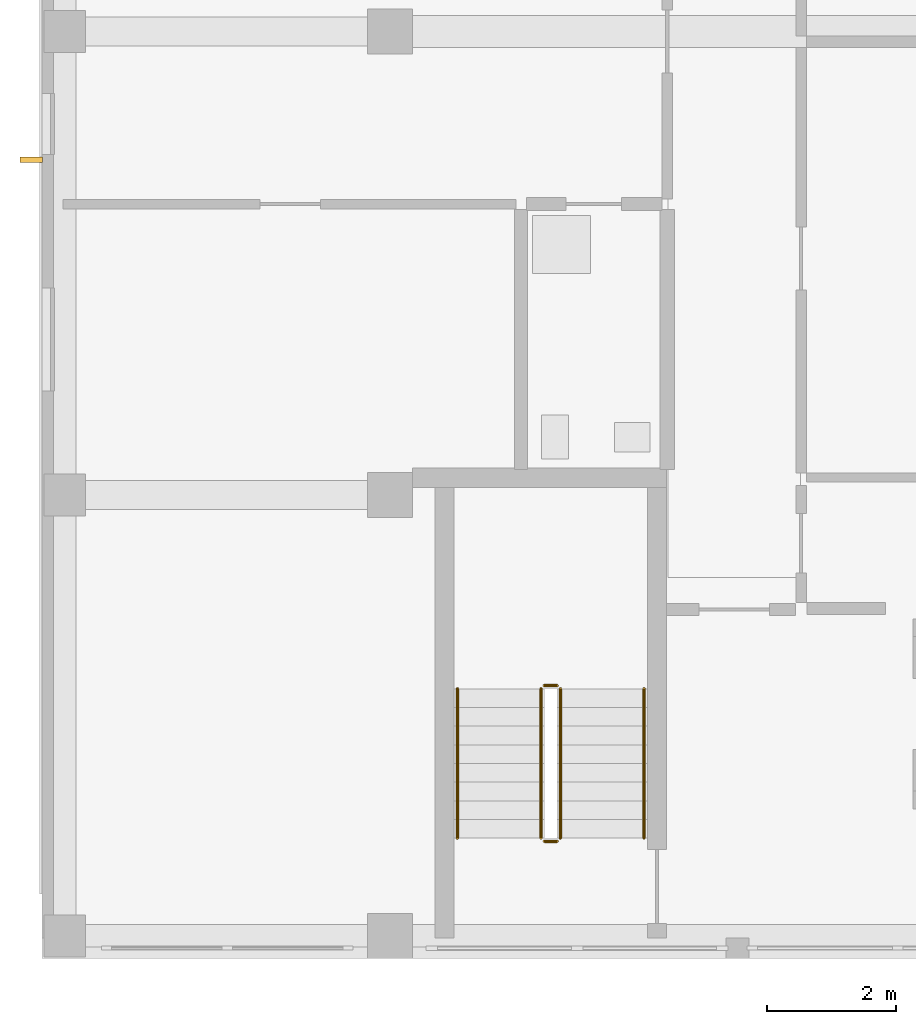
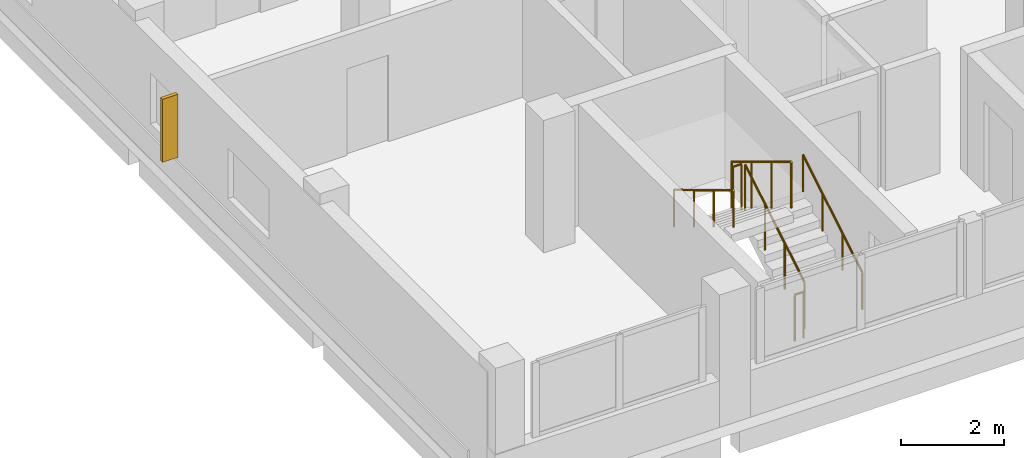
# One storey, part 47 of 56: 6 railings, 1 shading device.
"""IFC4 building model written with IfcOpenShell, lengths in metres."""

import ifcopenshell
import ifcopenshell.guid

model = None  # the IFC model being written
_history = None  # IfcOwnerHistory: only IFC2X3 demands one
_inside = {}  # id of a spatial element -> (the spatial element, [elements in it])
_under = {}  # id of a project, library or spatial element -> (it, [spatial elements below it])
_declared = {}  # id of a project -> (the project, [libraries it declares])
_typed = {}  # id of a type object -> (the type object, [elements of that type])
_made_of = {}  # id of a material, layer set ... -> (it, [elements and type objects made of it])


def new_model(schema):
    """Start an empty IFC model of exactly this schema.

    Asked for "IFC4X3", IfcOpenShell would pick the latest addendum, in which some entities
    have other attributes; the version numbers below select the first issue.
    IFC2X3 requires an IfcOwnerHistory on every rooted entity: one is made here for all.
    """
    global model, _history
    if schema == "IFC4X3":
        model = ifcopenshell.file(schema_version=(4, 3, 0, 0))
    else:
        model = ifcopenshell.file(schema=schema)
    _inside.clear()
    _under.clear()
    _declared.clear()
    _typed.clear()
    _made_of.clear()
    _history = None
    if model.schema == "IFC2X3":
        org = make("IfcOrganization", Name="unknown")
        user = make(
            "IfcPersonAndOrganization",
            ThePerson=make("IfcPerson", FamilyName="unknown"),
            TheOrganization=org,
        )
        app = make(
            "IfcApplication",
            ApplicationDeveloper=org,
            Version="unknown",
            ApplicationFullName="unknown",
            ApplicationIdentifier="unknown",
        )
        _history = make(
            "IfcOwnerHistory",
            OwningUser=user,
            OwningApplication=app,
            ChangeAction="ADDED",
            CreationDate=0,
        )
    return model


def make(cls, **values):
    """One entity of the class cls with the attributes given. An attribute that is None is left unset."""
    return model.create_entity(
        cls, **{name: value for name, value in values.items() if value is not None}
    )


def rooted(cls, **values):
    """An entity with a GlobalId (a new one), such as an element, a storey or a relation."""
    return make(cls, GlobalId=ifcopenshell.guid.new(), OwnerHistory=_history, **values)


def si_unit(unit_type, name, prefix=None):
    """IfcSIUnit, for example si_unit("LENGTHUNIT", "METRE", prefix="MILLI")."""
    return make("IfcSIUnit", UnitType=unit_type, Prefix=prefix, Name=name)


def derived_unit(unit_type, elements):
    """IfcDerivedUnit: a product of units, each with its exponent."""
    return make(
        "IfcDerivedUnit",
        Elements=[
            make("IfcDerivedUnitElement", Unit=unit, Exponent=power)
            for unit, power in elements
        ],
        UnitType=unit_type,
    )


def assignment(units):
    """IfcUnitAssignment: the units of a project."""
    return None if units is None else make("IfcUnitAssignment", Units=units)


def point(xyz):
    """IfcCartesianPoint."""
    return None if xyz is None else make("IfcCartesianPoint", Coordinates=xyz)


def direction(xyz):
    """IfcDirection."""
    return None if xyz is None else make("IfcDirection", DirectionRatios=xyz)


def frame(location, z_axis=None, x_axis=None):
    """IfcAxis2Placement3D, a coordinate frame: its origin and axes. An axis left out is left unset."""
    return make(
        "IfcAxis2Placement3D",
        Location=point(location),
        Axis=direction(z_axis),
        RefDirection=direction(x_axis),
    )


def frame_2d(location, x_axis=None):
    """IfcAxis2Placement2D, a coordinate frame in the plane: its origin and x axis."""
    return make(
        "IfcAxis2Placement2D", Location=point(location), RefDirection=direction(x_axis)
    )


def origin():
    """The frame at (0, 0, 0) with its axes left unset."""
    return frame((0.0, 0.0, 0.0))


def origin_2d():
    """The frame at (0, 0) in the plane with its x axis left unset."""
    return frame_2d((0.0, 0.0))


def place(relative_to, where):
    """IfcLocalPlacement: puts the frame where relative to a parent placement (None: the world)."""
    return make(
        "IfcLocalPlacement", PlacementRelTo=relative_to, RelativePlacement=where
    )


def context(
    kind, dimensions, precision=None, world=None, true_north=None, identifier=None
):
    """IfcGeometricRepresentationContext, for example the 3D "Model" context."""
    return make(
        "IfcGeometricRepresentationContext",
        ContextIdentifier=identifier,
        ContextType=kind,
        CoordinateSpaceDimension=dimensions,
        Precision=precision,
        WorldCoordinateSystem=world,
        TrueNorth=true_north,
    )


def subcontext(parent, identifier, kind, view, scale=None):
    """IfcGeometricRepresentationSubContext, for example "Body" below "Model"."""
    return make(
        "IfcGeometricRepresentationSubContext",
        ContextIdentifier=identifier,
        ContextType=kind,
        ParentContext=parent,
        TargetScale=scale,
        TargetView=view,
    )


def project(units=None, contexts=None):
    """IfcProject with its units and contexts."""
    return rooted(
        "IfcProject",
        Name="project",
        RepresentationContexts=contexts,
        UnitsInContext=assignment(units),
    )


def spatial(cls, under=None, at=None, **own):
    """A site, building, storey or space (cls), placed at a placement, below another one or the project."""
    s = rooted(cls, ObjectPlacement=at, **own)
    if under is not None:
        _under.setdefault(under.id(), (under, []))[1].append(s)
    return s


def profile(cls, at=None, kind="AREA", **sizes):
    """A parametric profile (cls). Its sizes go by their IFC names, for example OverallWidth=200.0."""
    return make(cls, ProfileType=kind, Position=at, **sizes)


def rectangle(**sizes):
    """IfcRectangleProfileDef."""
    return profile("IfcRectangleProfileDef", **sizes)


def circle(**sizes):
    """IfcCircleProfileDef."""
    return profile("IfcCircleProfileDef", **sizes)


def extrude(swept, where, along, depth):
    """IfcExtrudedAreaSolid: the profile swept, set in the frame where, extruded along a direction by depth."""
    return make(
        "IfcExtrudedAreaSolid",
        SweptArea=swept,
        Position=where,
        ExtrudedDirection=direction(along),
        Depth=depth,
    )


def shape(context_of_items, identifier, shape_type, items):
    """IfcShapeRepresentation: the items that make up one representation, for example the "Body"."""
    return make(
        "IfcShapeRepresentation",
        ContextOfItems=context_of_items,
        RepresentationIdentifier=identifier,
        RepresentationType=shape_type,
        Items=items,
    )


def material(Name=None, Category=None):
    """IfcMaterial."""
    return make("IfcMaterial", Name=Name, Category=Category)


def made_of(thing, what):
    """Note that an element or type object is made of a material, layer set ...; save() writes the relation."""
    if what is not None:
        _made_of.setdefault(what.id(), (what, []))[1].append(thing)
    return thing


def type_object(cls, material=None, **own):
    """A type object (cls), such as IfcWallType, which elements share."""
    return made_of(rooted(cls, **own), material)


def element(
    cls,
    number,
    at=None,
    inside=None,
    cuts=None,
    type_object=None,
    material=None,
    context=None,
    identifier="Body",
    shape_type=None,
    held_by="IfcProductDefinitionShape",
    body=None,
    shapes=None,
    **own,
):
    """One element of the class cls, such as IfcWall. Its Tag is "e" and its number.

    at: its placement. inside: the storey or other place that contains it. cuts: it is an
    opening in that element (IfcRelVoidsElement). A single representation is given by context,
    identifier, shape_type and body (its items); several are given by shapes. held_by: the class
    of the entity that holds the representations. save() writes the other relations.
    """
    e = rooted(cls, Tag="e%d" % number, ObjectPlacement=at, **own)
    if body is not None:
        shapes = [shape(context, identifier, shape_type, body)]
    if shapes is not None:
        e.Representation = make(held_by, Representations=shapes)
    if inside is not None:
        _inside.setdefault(inside.id(), (inside, []))[1].append(e)
    if cuts is not None:
        rooted(
            "IfcRelVoidsElement", RelatingBuildingElement=cuts, RelatedOpeningElement=e
        )
    if type_object is not None:
        _typed.setdefault(type_object.id(), (type_object, []))[1].append(e)
    return made_of(e, material)


def aggregate(whole, parts):
    """IfcRelAggregates: a whole, such as a stair, and the parts it consists of."""
    return rooted("IfcRelAggregates", RelatingObject=whole, RelatedObjects=parts)


def save(model, path):
    """Write the relations noted so far, then the file.

    IfcRelAggregates (storeys below a building ...), IfcRelContainedInSpatialStructure (elements
    in a storey), IfcRelDefinesByType, IfcRelAssociatesMaterial and IfcRelDeclares: one each for
    every whole, place, type object, material and project.
    """
    for whole, parts in _under.values():
        aggregate(whole, parts)
    for where, things in _inside.values():
        rooted(
            "IfcRelContainedInSpatialStructure",
            RelatedElements=things,
            RelatingStructure=where,
        )
    for kind, things in _typed.values():
        rooted("IfcRelDefinesByType", RelatedObjects=things, RelatingType=kind)
    for what, things in _made_of.values():
        rooted("IfcRelAssociatesMaterial", RelatedObjects=things, RelatingMaterial=what)
    for by, libraries in _declared.values():
        rooted("IfcRelDeclares", RelatingContext=by, RelatedDefinitions=libraries)
    model.write(path)


model = new_model("IFC4")

# Units and contexts
model_context = context("Model", 3, precision=1e-05, world=origin(), true_north=direction((0.0, 1.0)))
body_context = subcontext(model_context, "Body", "Model", "MODEL_VIEW")
ifc_project = project(units=[si_unit("LENGTHUNIT", "METRE"), si_unit("AREAUNIT", "SQUARE_METRE"), si_unit("VOLUMEUNIT", "CUBIC_METRE"), si_unit("PLANEANGLEUNIT", "RADIAN"), si_unit("MASSUNIT", "GRAM", prefix="KILO"), derived_unit("THERMALTRANSMITTANCEUNIT", [(si_unit("MASSUNIT", "GRAM", prefix="KILO"), 1), (si_unit("TIMEUNIT", "SECOND"), -3), (si_unit("THERMODYNAMICTEMPERATUREUNIT", "KELVIN"), -1)])], contexts=[model_context])

# Site, building, storey
site_placement = place(None, origin())
site = spatial("IfcSite", under=ifc_project, at=site_placement, CompositionType="ELEMENT")
building_placement = place(site_placement, origin())
building = spatial("IfcBuilding", under=site, at=building_placement, Name="Ochrekiln Boulevard Commons", CompositionType="ELEMENT")
storey_placement = place(building_placement, frame((0.0, 0.0, 12.074951171875)))
storey = spatial("IfcBuildingStorey", under=building, at=storey_placement, Name="L03", CompositionType="ELEMENT", Elevation=12.074951171875)

# Railings
ifc_material_1 = material(Name="Brushed stainless steel 316 tubular railing", Category="steel")
railing_type_1 = type_object("IfcRailingType", Name="RLG-HDR-900", PredefinedType="HANDRAIL", material=ifc_material_1)
railing_1_placement = place(storey_placement, frame((9.35009765625, 70.27001953125, 0.175048828125)))
element("IfcRailing", 1, at=railing_1_placement, inside=storey, type_object=railing_type_1, Name="L03 ST-A1 stair handrail 1", PredefinedType="HANDRAIL", context=body_context, shape_type="SweptSolid", body=[
    extrude(circle(Radius=0.02392578125, at=origin_2d()), frame((0.0, 0.0, 0.8759765625), z_axis=(0.0, 0.85621033714, 0.516627388526), x_axis=(-1.0, 0.0, 0.0)), (0.0, 0.0, 1.0), 2.709716796875),
    extrude(circle(Radius=0.02099609375, at=origin_2d()), origin(), (0.0, 0.0, 1.0), 0.851806640625),
    extrude(circle(Radius=0.02099609375, at=origin_2d()), frame((0.0, 0.7734375, 0.466552734375)), (0.0, 0.0, 1.0), 0.851806640625),
    extrude(circle(Radius=0.02099609375, at=origin_2d()), frame((0.0, 1.546630859375, 0.933349609375)), (0.0, 0.0, 1.0), 0.851806640625),
    extrude(circle(Radius=0.02099609375, at=origin_2d()), frame((0.0, 2.320068359375, 1.39990234375)), (0.0, 0.0, 1.0), 0.851806640625),
])
railing_2_placement = place(storey_placement, frame((6.449951171875, 72.590087890625, 1.75)))
element("IfcRailing", 2, at=railing_2_placement, inside=storey, type_object=railing_type_1, Name="L03 ST-A1 stair handrail 2", PredefinedType="HANDRAIL", context=body_context, shape_type="SweptSolid", body=[
    extrude(circle(Radius=0.02392578125, at=origin_2d()), frame((0.0, 0.0, 0.8759765625), z_axis=(0.0, -0.856170481923, 0.516693435108), x_axis=(1.0, 0.0, 0.0)), (0.0, 0.0, 1.0), 2.709716796875),
    extrude(circle(Radius=0.02099609375, at=origin_2d()), origin(), (0.0, 0.0, 1.0), 0.851806640625),
    extrude(circle(Radius=0.02099609375, at=origin_2d()), frame((0.0, -0.7734375, 0.466796875)), (0.0, 0.0, 1.0), 0.851806640625),
    extrude(circle(Radius=0.02099609375, at=origin_2d()), frame((0.0, -1.546630859375, 0.933349609375)), (0.0, 0.0, 1.0), 0.851806640625),
    extrude(circle(Radius=0.02099609375, at=origin_2d()), frame((0.0, -2.320068359375, 1.400146484375)), (0.0, 0.0, 1.0), 0.851806640625),
])
railing_type_2 = type_object("IfcRailingType", Name="RLG-STR-1120", PredefinedType="BALUSTRADE", material=ifc_material_1)
railing_3_placement = place(storey_placement, frame((8.050048828125, 70.27001953125, 0.175048828125)))
element("IfcRailing", 3, at=railing_3_placement, inside=storey, type_object=railing_type_2, Name="L03 ST-A1 stair guard 1", PredefinedType="BALUSTRADE", context=body_context, shape_type="SweptSolid", body=[
    extrude(circle(Radius=0.02392578125, at=origin_2d()), frame((0.0, 0.0, 1.09619140625), z_axis=(0.0, 0.85621033714, 0.516627388526), x_axis=(-1.0, 0.0, 0.0)), (0.0, 0.0, 1.0), 2.709716796875),
    extrude(circle(Radius=0.02099609375, at=origin_2d()), origin(), (0.0, 0.0, 1.0), 1.072021484375),
    extrude(circle(Radius=0.02099609375, at=origin_2d()), frame((0.0, 0.7734375, 0.466552734375)), (0.0, 0.0, 1.0), 1.072021484375),
    extrude(circle(Radius=0.02099609375, at=origin_2d()), frame((0.0, 1.546630859375, 0.933349609375)), (0.0, 0.0, 1.0), 1.072021484375),
    extrude(circle(Radius=0.02099609375, at=origin_2d()), frame((0.0, 2.320068359375, 1.39990234375)), (0.0, 0.0, 1.0), 1.072021484375),
])
railing_4_placement = place(storey_placement, frame((8.0, 72.639892578125, 1.574951171875)))
element("IfcRailing", 4, at=railing_4_placement, inside=storey, type_object=railing_type_2, Name="L03 ST-A1 stair guard 2", PredefinedType="BALUSTRADE", context=body_context, shape_type="SweptSolid", body=[
    extrude(circle(Radius=0.02392578125, at=origin_2d()), frame((0.0, 0.0, 1.09619140625), z_axis=(-1.0, 0.0, 0.0), x_axis=(0.0, -1.0, 0.0)), (0.0, 0.0, 1.0), 0.199951171875),
    extrude(circle(Radius=0.02099609375, at=origin_2d()), origin(), (0.0, 0.0, 1.0), 1.072021484375),
    extrude(circle(Radius=0.02099609375, at=origin_2d()), frame((-0.199951171875, 0.0, 0.0)), (0.0, 0.0, 1.0), 1.072021484375),
])
railing_5_placement = place(storey_placement, frame((7.75, 72.590087890625, 1.75)))
element("IfcRailing", 5, at=railing_5_placement, inside=storey, type_object=railing_type_2, Name="L03 ST-A1 stair guard 3", PredefinedType="BALUSTRADE", context=body_context, shape_type="SweptSolid", body=[
    extrude(circle(Radius=0.02392578125, at=origin_2d()), frame((0.0, 0.0, 1.09619140625), z_axis=(0.0, -0.856170481923, 0.516693435108), x_axis=(1.0, 0.0, 0.0)), (0.0, 0.0, 1.0), 2.709716796875),
    extrude(circle(Radius=0.02099609375, at=origin_2d()), origin(), (0.0, 0.0, 1.0), 1.072021484375),
    extrude(circle(Radius=0.02099609375, at=origin_2d()), frame((0.0, -0.7734375, 0.466796875)), (0.0, 0.0, 1.0), 1.072021484375),
    extrude(circle(Radius=0.02099609375, at=origin_2d()), frame((0.0, -1.546630859375, 0.933349609375)), (0.0, 0.0, 1.0), 1.072021484375),
    extrude(circle(Radius=0.02099609375, at=origin_2d()), frame((0.0, -2.320068359375, 1.400146484375)), (0.0, 0.0, 1.0), 1.072021484375),
])
railing_6_placement = place(storey_placement, frame((8.0, 70.219970703125, 0.0)))
element("IfcRailing", 6, at=railing_6_placement, inside=storey, type_object=railing_type_2, Name="L03 ST-A1 stair guard 4", PredefinedType="BALUSTRADE", context=body_context, shape_type="SweptSolid", body=[
    extrude(circle(Radius=0.02392578125, at=origin_2d()), frame((0.0, 0.0, 1.09619140625), z_axis=(-1.0, 0.0, 0.0), x_axis=(0.0, -1.0, 0.0)), (0.0, 0.0, 1.0), 0.199951171875),
    extrude(circle(Radius=0.02099609375, at=origin_2d()), origin(), (0.0, 0.0, 1.0), 1.072021484375),
    extrude(circle(Radius=0.02099609375, at=origin_2d()), frame((-0.199951171875, 0.0, 0.0)), (0.0, 0.0, 1.0), 1.072021484375),
])

# Shading device
ifc_material_2 = material(Name="Glazed architectural terracotta ASTM C1405", Category="masonry")
shading_device_type = type_object("IfcShadingDeviceType", Name="SHD-FIN-TERRA", PredefinedType="JALOUSIE", material=ifc_material_2)
shading_device_placement = place(storey_placement, frame((-0.169921875, 80.80908203125, 0.699951171875), z_axis=(0.0, 0.0, 1.0), x_axis=(1.0, 0.0, 0.0)))
element("IfcShadingDevice", 7, at=shading_device_placement, inside=storey, type_object=shading_device_type, Name="Terracotta Solar Shading Fin SF-01 (5)", PredefinedType="JALOUSIE", context=body_context, shape_type="SweptSolid", body=[
    extrude(rectangle(XDim=0.35009765625, YDim=0.080078125, at=origin_2d()), origin(), (0.0, 0.0, 1.0), 1.5),
])

save(model, "model.ifc")
